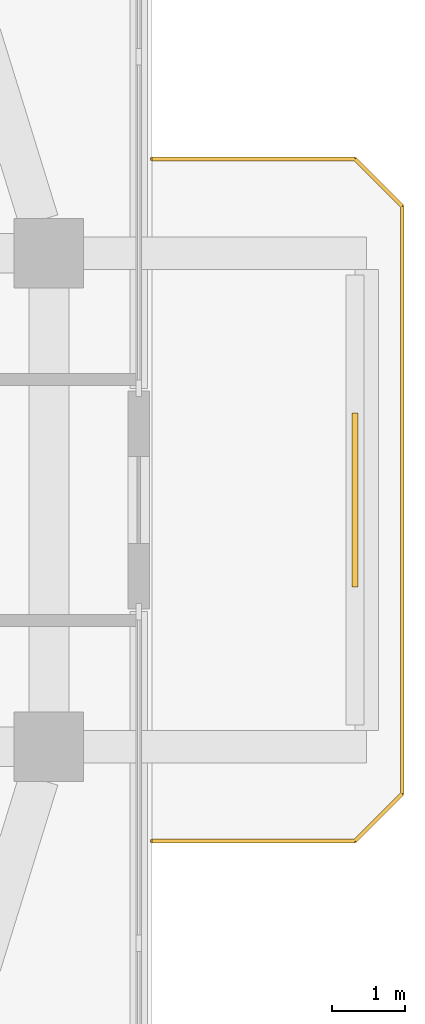
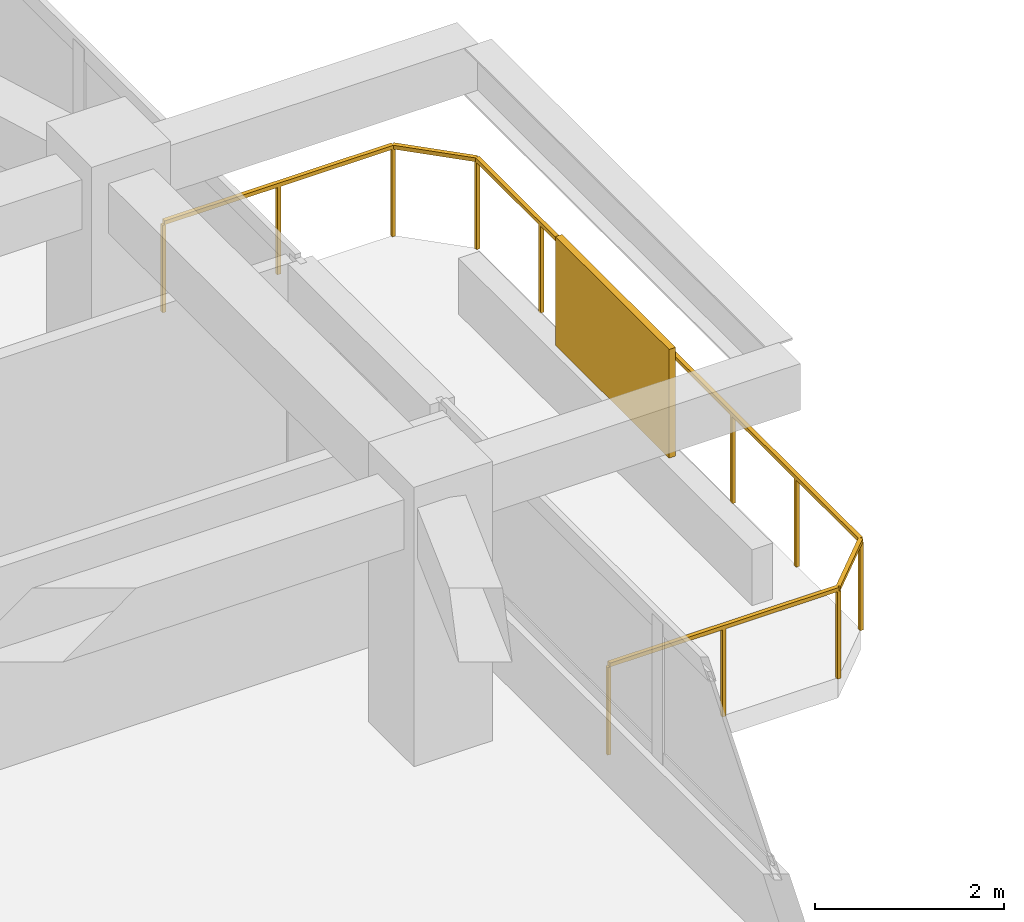
# One storey, part 13 of 13: 1 railing, 1 shading device.
"""IFC4 building model written with IfcOpenShell, lengths in metres."""

from ifc_helpers import new_model, si_unit, derived_unit, direction, frame, origin, origin_2d, place, context, subcontext, project, spatial, rectangle, extrude, material, layer, layer_set, type_object, element, save


model = new_model("IFC4")

# Units and contexts
model_context = context("Model", 3, precision=1e-05, world=origin(), true_north=direction((0.0, 1.0)))
body_context = subcontext(model_context, "Body", "Model", "MODEL_VIEW")
ifc_project = project(units=[si_unit("LENGTHUNIT", "METRE"), si_unit("AREAUNIT", "SQUARE_METRE"), si_unit("VOLUMEUNIT", "CUBIC_METRE"), si_unit("PLANEANGLEUNIT", "RADIAN"), si_unit("MASSUNIT", "GRAM", prefix="KILO"), derived_unit("THERMALTRANSMITTANCEUNIT", [(si_unit("POWERUNIT", "WATT"), 1), (si_unit("LENGTHUNIT", "METRE"), -2), (si_unit("THERMODYNAMICTEMPERATUREUNIT", "KELVIN"), -1)])], contexts=[model_context])

# Site, building, storey
site_placement = place(None, origin())
site = spatial("IfcSite", under=ifc_project, at=site_placement, CompositionType="ELEMENT")
building_placement = place(site_placement, origin())
building = spatial("IfcBuilding", under=site, at=building_placement, Name="Koralith Skygarden Medical Center", CompositionType="ELEMENT")
storey_placement = place(building_placement, frame((0.0, 0.0, 156.419921875)))
storey = spatial("IfcBuildingStorey", under=building, at=storey_placement, Name="L40", CompositionType="ELEMENT", Elevation=156.419921875)

# Railing
ifc_material_1 = material(Name="Steel ASTM A500 Grade C", Category="steel")
railing_type = type_object("IfcRailingType", Name="Outdoor Terrace & Balcony Safety Guardrail 1180", PredefinedType="GUARDRAIL", material=ifc_material_1)
railing_placement = place(storey_placement, frame((60.48388671875, 21.199951171875, 0.0)))
element("IfcRailing", 1, at=railing_placement, inside=storey, type_object=railing_type, Name="L40 E Balcony Perimeter Guardrail", PredefinedType="GUARDRAIL", context=body_context, shape_type="SweptSolid", body=[
    extrude(rectangle(XDim=0.050048828125, YDim=0.050048828125, at=origin_2d()), frame((0.001953125, 0.0, 1.15478515625), z_axis=(1.0, 0.0, 0.0), x_axis=(0.0, 1.0, 0.0)), (0.0, 0.0, 1.0), 2.796142578125),
    extrude(rectangle(XDim=0.050048828125, YDim=0.050048828125, at=origin_2d()), frame((2.801513671875, 0.00146484375, 1.15478515625), z_axis=(0.707106781187, 0.707106781187, 0.0), x_axis=(-0.707106781187, 0.707106781187, 0.0)), (0.0, 0.0, 1.0), 0.91552734375),
    extrude(rectangle(XDim=0.050048828125, YDim=0.050048828125, at=origin_2d()), frame((3.4501953125, 0.652099609375, 1.15478515625), z_axis=(0.0, 1.0, 0.0), x_axis=(-1.0, 0.0, 0.0)), (0.0, 0.0, 1.0), 8.095947265625),
    extrude(rectangle(XDim=0.050048828125, YDim=0.050048828125, at=origin_2d()), frame((3.44873046875, 8.75146484375, 1.15478515625), z_axis=(-0.707106781187, 0.707106781187, 0.0), x_axis=(-0.707106781187, -0.707106781187, 0.0)), (0.0, 0.0, 1.0), 0.91552734375),
    extrude(rectangle(XDim=0.050048828125, YDim=0.050048828125, at=origin_2d()), frame((2.798095703125, 9.400146484375, 1.15478515625), z_axis=(-1.0, 0.0, 0.0), x_axis=(0.0, -1.0, 0.0)), (0.0, 0.0, 1.0), 2.796142578125),
    extrude(rectangle(XDim=0.0419921875, YDim=0.0419921875, at=origin_2d()), origin(), (0.0, 0.0, 1.0), 1.1279296875),
    extrude(rectangle(XDim=0.0419921875, YDim=0.0419921875, at=origin_2d()), frame((1.39990234375, 0.0, 0.0)), (0.0, 0.0, 1.0), 1.1279296875),
    extrude(rectangle(XDim=0.0419921875, YDim=0.0419921875, at=origin_2d()), frame((2.800048828125, 0.0, 0.0)), (0.0, 0.0, 1.0), 1.1279296875),
    extrude(rectangle(XDim=0.0419921875, YDim=0.0419921875, at=origin_2d()), frame((3.4501953125, 0.650146484375, 0.0)), (0.0, 0.0, 1.0), 1.1279296875),
    extrude(rectangle(XDim=0.0419921875, YDim=0.0419921875, at=origin_2d()), frame((3.4501953125, 2.0, 0.0)), (0.0, 0.0, 1.0), 1.1279296875),
    extrude(rectangle(XDim=0.0419921875, YDim=0.0419921875, at=origin_2d()), frame((3.4501953125, 3.35009765625, 0.0)), (0.0, 0.0, 1.0), 1.1279296875),
    extrude(rectangle(XDim=0.0419921875, YDim=0.0419921875, at=origin_2d()), frame((3.4501953125, 4.7001953125, 0.0)), (0.0, 0.0, 1.0), 1.1279296875),
    extrude(rectangle(XDim=0.0419921875, YDim=0.0419921875, at=origin_2d()), frame((3.4501953125, 6.050048828125, 0.0)), (0.0, 0.0, 1.0), 1.1279296875),
    extrude(rectangle(XDim=0.0419921875, YDim=0.0419921875, at=origin_2d()), frame((3.4501953125, 7.39990234375, 0.0)), (0.0, 0.0, 1.0), 1.1279296875),
    extrude(rectangle(XDim=0.0419921875, YDim=0.0419921875, at=origin_2d()), frame((3.4501953125, 8.75, 0.0)), (0.0, 0.0, 1.0), 1.1279296875),
    extrude(rectangle(XDim=0.0419921875, YDim=0.0419921875, at=origin_2d()), frame((2.800048828125, 9.400146484375, 0.0)), (0.0, 0.0, 1.0), 1.1279296875),
    extrude(rectangle(XDim=0.0419921875, YDim=0.0419921875, at=origin_2d()), frame((1.39990234375, 9.400146484375, 0.0)), (0.0, 0.0, 1.0), 1.1279296875),
    extrude(rectangle(XDim=0.0419921875, YDim=0.0419921875, at=origin_2d()), frame((0.0, 9.400146484375, 0.0)), (0.0, 0.0, 1.0), 1.1279296875),
])

# Shading device
ifc_material_2 = material(Name="Aluminium 6063-T6", Category="aluminium")
ifc_layer = layer(ifc_material_2, 0.080078125)
ifc_layer_set = layer_set([ifc_layer], Name="Aluminium 6063-T6")
shading_device_type = type_object("IfcShadingDeviceType", Name="Perforated Biophilic Balcony Trellis Screen", PredefinedType="USERDEFINED", material=ifc_layer_set)
shading_device_placement = place(storey_placement, frame((63.283935546875, 25.89990234375, 0.72021484375), z_axis=(0.0, 0.0, 1.0), x_axis=(0.0, 1.0, 0.0)))
element("IfcShadingDevice", 2, at=shading_device_placement, inside=storey, type_object=shading_device_type, Name="L40 E Biophilic Balcony Trellis Screen", ObjectType="HURRICANE SCREEN", PredefinedType="USERDEFINED", context=body_context, shape_type="SweptSolid", body=[
    extrude(rectangle(XDim=2.39990234375, YDim=0.080078125, at=origin_2d()), origin(), (0.0, 0.0, 1.0), 1.39990234375),
])

save(model, "model.ifc")
